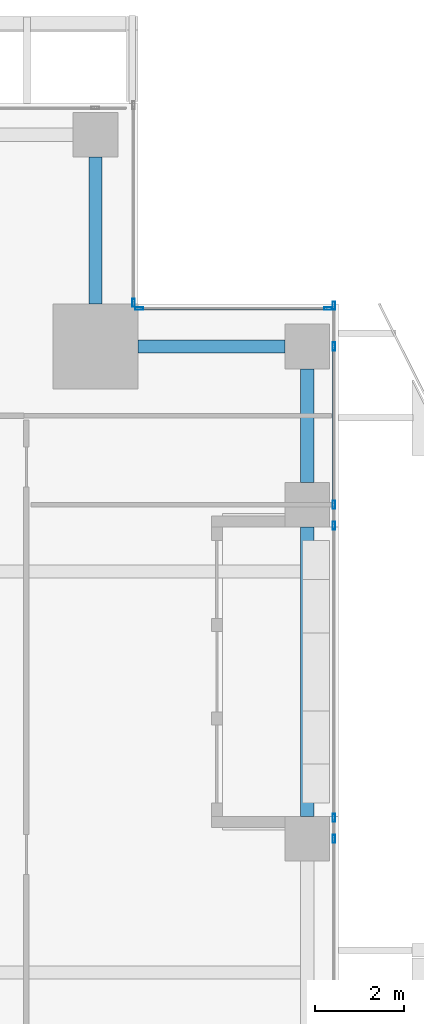
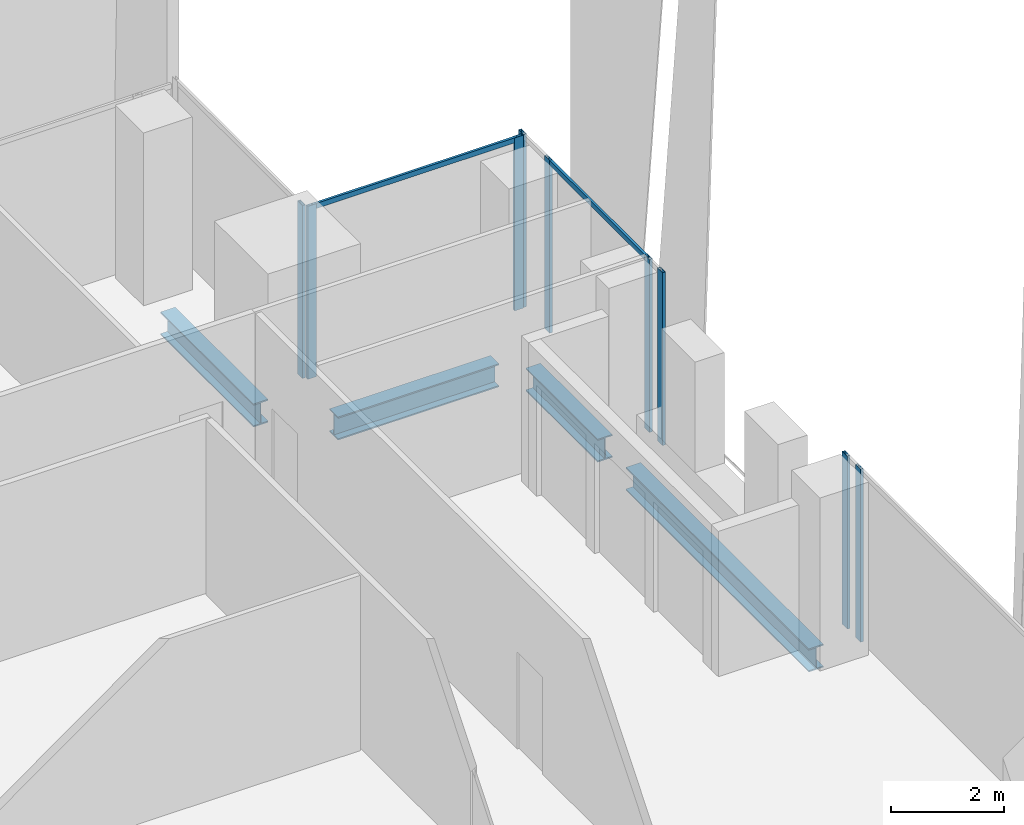
# One storey, part 19 of 35: 11 members, 4 beams, 4 elements without a shape of their own.
"""IFC4 building model written with IfcOpenShell, lengths in metres."""

from ifc_helpers import new_model, si_unit, direction, frame, origin, origin_2d, place, context, subcontext, project, spatial, hollow_rectangle, i_section, extrude, source, transform, mapped, material, material_profile, profile_set, type_object, element, aggregate, save


model = new_model("IFC4")

# Units and contexts
model_context = context("Model", 3, precision=1e-05, world=origin(), true_north=direction((0.0, 1.0)))
body_context = subcontext(model_context, "Body", "Model", "MODEL_VIEW")
ifc_project = project(units=[si_unit("LENGTHUNIT", "METRE"), si_unit("AREAUNIT", "SQUARE_METRE"), si_unit("VOLUMEUNIT", "CUBIC_METRE"), si_unit("PLANEANGLEUNIT", "RADIAN"), si_unit("MASSUNIT", "GRAM", prefix="KILO")], contexts=[model_context])

# Site, building, storey
site_placement = place(None, origin())
site = spatial("IfcSite", under=ifc_project, at=site_placement, CompositionType="ELEMENT")
building_placement = place(site_placement, origin())
building = spatial("IfcBuilding", under=site, at=building_placement, Name="Khomas Fold Tower", CompositionType="ELEMENT")
storey_placement = place(building_placement, frame((0.0, 0.0, 188.699951171875)))
storey = spatial("IfcBuildingStorey", under=building, at=storey_placement, Name="L41", CompositionType="ELEMENT", Elevation=188.699951171875)

# Beams
ifc_material_1 = material(Name="Steel S355", Category="steel")
ifc_material_profile_1 = material_profile(ifc_material_1, i_section(OverallWidth=0.300048828125, OverallDepth=0.5, WebThickness=0.014404296875, FlangeThickness=0.028076171875, at=origin_2d()), Name="HE 500 B")
ifc_profile_set_1 = profile_set([ifc_material_profile_1], Name="Steel S355")
beam_type = type_object("IfcBeamType", Name="HE 500 B spandrel SB3", PredefinedType="SPANDREL", material=ifc_profile_set_1)
shared_shape_1 = source(origin(), body_context, "Body", "SweptSolid", [
    extrude(i_section(OverallWidth=0.300048828125, OverallDepth=0.5, WebThickness=0.014404296875, FlangeThickness=0.028076171875, at=origin_2d()), origin(), (0.0, 0.0, 1.0), 2.550048828125),
])
beam_1_placement = place(storey_placement, frame((50.300048828125, 42.5, -0.5), z_axis=(0.0, 1.0, 0.0), x_axis=(-1.0, 0.0, 0.0)))
element("IfcBeam", 1, at=beam_1_placement, inside=storey, type_object=beam_type, Name="SB3", PredefinedType="SPANDREL", context=body_context, shape_type="MappedRepresentation", body=[
    mapped(shared_shape_1, transform((0.0, 0.0, 0.0))),
])
shared_shape_2 = source(origin(), body_context, "Body", "SweptSolid", [
    extrude(i_section(OverallWidth=0.300048828125, OverallDepth=0.5, WebThickness=0.014404296875, FlangeThickness=0.028076171875, at=origin_2d()), origin(), (0.0, 0.0, 1.0), 6.5),
])
beam_2_placement = place(storey_placement, frame((50.300048828125, 35.0, -0.5), z_axis=(0.0, 1.0, 0.0), x_axis=(-1.0, 0.0, 0.0)))
element("IfcBeam", 2, at=beam_2_placement, inside=storey, type_object=beam_type, Name="SB3", PredefinedType="SPANDREL", context=body_context, shape_type="MappedRepresentation", body=[
    mapped(shared_shape_2, transform((0.0, 0.0, 0.0))),
])
shared_shape_3 = source(origin(), body_context, "Body", "SweptSolid", [
    extrude(i_section(OverallWidth=0.300048828125, OverallDepth=0.5, WebThickness=0.014404296875, FlangeThickness=0.028076171875, at=origin_2d()), origin(), (0.0, 0.0, 1.0), 3.300048828125),
])
for number, where, z_axis, x_axis, name in (
    (3, (46.5, 45.550048828125, -0.5), (1.0, 0.0, 0.0), (0.0, 1.0, 0.0), "SB3"),
    (4, (45.550048828125, 46.5, -0.5), (0.0, 1.0, 0.0), (-1.0, 0.0, 0.0), "SB3"),
):
    element("IfcBeam", number, at=place(storey_placement, frame(where, z_axis=z_axis, x_axis=x_axis)), inside=storey, type_object=beam_type, Name=name, PredefinedType="SPANDREL", context=body_context, shape_type="MappedRepresentation", body=[
        mapped(shared_shape_3, transform((0.0, 0.0, 0.0))),
    ])

# Curtain wall, members
ifc_material_2 = material(Name="Aluminium framed double glazing", Category="aluminium")
curtain_wall_type = type_object("IfcCurtainWallType", Name="SK-Unitised clear-glass wall, office floors CW2", PredefinedType="NOTDEFINED", material=ifc_material_2)
curtain_wall_1_placement = place(storey_placement, origin())
curtain_wall_1 = element("IfcCurtainWall", 5, at=curtain_wall_1_placement, inside=storey, type_object=curtain_wall_type, Name="CW2 run L41 03-0", PredefinedType="NOTDEFINED")
ifc_material_3 = material(Name="Aluminium", Category="aluminium")
ifc_material_profile_2 = material_profile(ifc_material_3, hollow_rectangle(XDim=0.06005859375, YDim=0.179931640625, WallThickness=0.00390625, at=origin_2d()), Name="SK-Unitised clear-glass wall, office floors mullion CW2-M")
ifc_profile_set_2 = profile_set([ifc_material_profile_2], Name="Aluminium")
member_type_1 = type_object("IfcMemberType", Name="SK-Unitised clear-glass wall, office floors mullion CW2-M", PredefinedType="MULLION", material=ifc_profile_set_2)
shared_shape_4 = source(origin(), body_context, "Body", "SweptSolid", [
    extrude(hollow_rectangle(XDim=0.06005859375, YDim=0.179931640625, WallThickness=0.00390625, at=origin_2d()), origin(), (0.0, 0.0, 1.0), 3.75),
])
member_1_placement = place(storey_placement, frame((50.89990234375, 34.5, 0.0), z_axis=(0.0, 0.0, 1.0), x_axis=(-1.0, 0.0, 0.0)))
member_1 = element("IfcMember", 6, at=member_1_placement, type_object=member_type_1, Name="CW2 mullion 6", PredefinedType="MULLION", context=body_context, shape_type="MappedRepresentation", body=[
    mapped(shared_shape_4, transform((0.0, 0.0, 0.0))),
])
member_2_placement = place(storey_placement, frame((50.89990234375, 34.969970703125, 0.0), z_axis=(0.0, 0.0, 1.0), x_axis=(-1.0, 0.0, 0.0)))
member_2 = element("IfcMember", 7, at=member_2_placement, type_object=member_type_1, Name="CW2 mullion 7", PredefinedType="MULLION", context=body_context, shape_type="MappedRepresentation", body=[
    mapped(shared_shape_4, transform((0.0, 0.0, 0.0))),
])
aggregate(curtain_wall_1, [member_1, member_2])

curtain_wall_2_placement = place(storey_placement, origin())
curtain_wall_2 = element("IfcCurtainWall", 8, at=curtain_wall_2_placement, inside=storey, type_object=curtain_wall_type, Name="CW2 run L41 03-1", PredefinedType="NOTDEFINED")
member_3_placement = place(storey_placement, frame((50.89990234375, 41.530029296875, 0.0), z_axis=(0.0, 0.0, 1.0), x_axis=(-1.0, 0.0, 0.0)))
member_3 = element("IfcMember", 9, at=member_3_placement, type_object=member_type_1, Name="CW2 mullion 1", PredefinedType="MULLION", context=body_context, shape_type="MappedRepresentation", body=[
    mapped(shared_shape_4, transform((0.0, 0.0, 0.0))),
])
member_4_placement = place(storey_placement, frame((50.89990234375, 42.0, 0.0), z_axis=(0.0, 0.0, 1.0), x_axis=(-1.0, 0.0, 0.0)))
member_4 = element("IfcMember", 10, at=member_4_placement, type_object=member_type_1, Name="CW2 mullion 2", PredefinedType="MULLION", context=body_context, shape_type="MappedRepresentation", body=[
    mapped(shared_shape_4, transform((0.0, 0.0, 0.0))),
])
member_5_placement = place(storey_placement, frame((50.89990234375, 45.550048828125, 0.0), z_axis=(0.0, 0.0, 1.0), x_axis=(-1.0, 0.0, 0.0)))
member_5 = element("IfcMember", 11, at=member_5_placement, type_object=member_type_1, Name="CW2 mullion 3", PredefinedType="MULLION", context=body_context, shape_type="MappedRepresentation", body=[
    mapped(shared_shape_4, transform((0.0, 0.0, 0.0))),
])
member_6_placement = place(storey_placement, frame((50.89990234375, 46.469970703125, 0.0), z_axis=(0.0, 0.0, 1.0), x_axis=(-1.0, 0.0, 0.0)))
member_6 = element("IfcMember", 12, at=member_6_placement, type_object=member_type_1, Name="CW2 mullion 4", PredefinedType="MULLION", context=body_context, shape_type="MappedRepresentation", body=[
    mapped(shared_shape_4, transform((0.0, 0.0, 0.0))),
])

curtain_wall_3_placement = place(storey_placement, origin())
curtain_wall_3 = element("IfcCurtainWall", 13, at=curtain_wall_3_placement, inside=storey, type_object=curtain_wall_type, Name="CW2 corner return L41 04", PredefinedType="NOTDEFINED")
member_7_placement = place(storey_placement, frame((50.77001953125, 46.39990234375, 0.0), z_axis=(0.0, 0.0, 1.0), x_axis=(0.0, -1.0, 0.0)))
member_7 = element("IfcMember", 14, at=member_7_placement, type_object=member_type_1, Name="CW2 mullion 1", PredefinedType="MULLION", context=body_context, shape_type="MappedRepresentation", body=[
    mapped(shared_shape_4, transform((0.0, 0.0, 0.0))),
])
member_8_placement = place(storey_placement, frame((46.530029296875, 46.39990234375, 0.0), z_axis=(0.0, 0.0, 1.0), x_axis=(0.0, -1.0, 0.0)))
member_8 = element("IfcMember", 15, at=member_8_placement, type_object=member_type_1, Name="CW2 mullion 2", PredefinedType="MULLION", context=body_context, shape_type="MappedRepresentation", body=[
    mapped(shared_shape_4, transform((0.0, 0.0, 0.0))),
])

# Curtain wall, member
curtain_wall_4_placement = place(storey_placement, origin())
curtain_wall_4 = element("IfcCurtainWall", 16, at=curtain_wall_4_placement, inside=storey, type_object=curtain_wall_type, Name="CW2 corner return L41 05", PredefinedType="NOTDEFINED")
member_9_placement = place(storey_placement, frame((46.39990234375, 46.530029296875, 0.0), z_axis=(0.0, 0.0, 1.0), x_axis=(-1.0, 0.0, 0.0)))
member_9 = element("IfcMember", 17, at=member_9_placement, type_object=member_type_1, Name="CW2 mullion 1", PredefinedType="MULLION", context=body_context, shape_type="MappedRepresentation", body=[
    mapped(shared_shape_4, transform((0.0, 0.0, 0.0))),
])
aggregate(curtain_wall_4, [member_9])

# Member
ifc_material_4 = material(Name="Aluminium", Category="aluminium")
ifc_material_profile_3 = material_profile(ifc_material_4, hollow_rectangle(XDim=0.050048828125, YDim=0.110107421875, WallThickness=0.00390625, at=origin_2d()), Name="SK-Unitised clear-glass wall, office floors transom CW2-T")
ifc_profile_set_3 = profile_set([ifc_material_profile_3], Name="Aluminium")
member_type_2 = type_object("IfcMemberType", Name="SK-Unitised clear-glass wall, office floors transom CW2-T", PredefinedType="USERDEFINED", material=ifc_profile_set_3)
shared_shape_5 = source(origin(), body_context, "Body", "SweptSolid", [
    extrude(hollow_rectangle(XDim=0.050048828125, YDim=0.110107421875, WallThickness=0.00390625, at=origin_2d()), origin(), (0.0, 0.0, 1.0), 3.489990234375),
])
member_10_placement = place(storey_placement, frame((50.89990234375, 42.030029296875, 3.695068359375), z_axis=(0.0, 1.0, 0.0), x_axis=(-1.0, 0.0, 0.0)))
member_10 = element("IfcMember", 18, at=member_10_placement, type_object=member_type_2, Name="CW2 transom 2", ObjectType="TRANSOM", PredefinedType="USERDEFINED", context=body_context, shape_type="MappedRepresentation", body=[
    mapped(shared_shape_5, transform((0.0, 0.0, 0.0))),
])

aggregate(curtain_wall_2, [member_3, member_4, member_5, member_6, member_10])

shared_shape_6 = source(origin(), body_context, "Body", "SweptSolid", [
    extrude(hollow_rectangle(XDim=0.050048828125, YDim=0.110107421875, WallThickness=0.00390625, at=origin_2d()), origin(), (0.0, 0.0, 1.0), 4.179931640625),
])
member_11_placement = place(storey_placement, frame((50.739990234375, 46.39990234375, 3.695068359375), z_axis=(-1.0, 0.0, 0.0), x_axis=(0.0, -1.0, 0.0)))
member_11 = element("IfcMember", 19, at=member_11_placement, type_object=member_type_2, Name="CW2 transom 1", ObjectType="TRANSOM", PredefinedType="USERDEFINED", context=body_context, shape_type="MappedRepresentation", body=[
    mapped(shared_shape_6, transform((0.0, 0.0, 0.0))),
])

aggregate(curtain_wall_3, [member_7, member_8, member_11])

save(model, "model.ifc")
